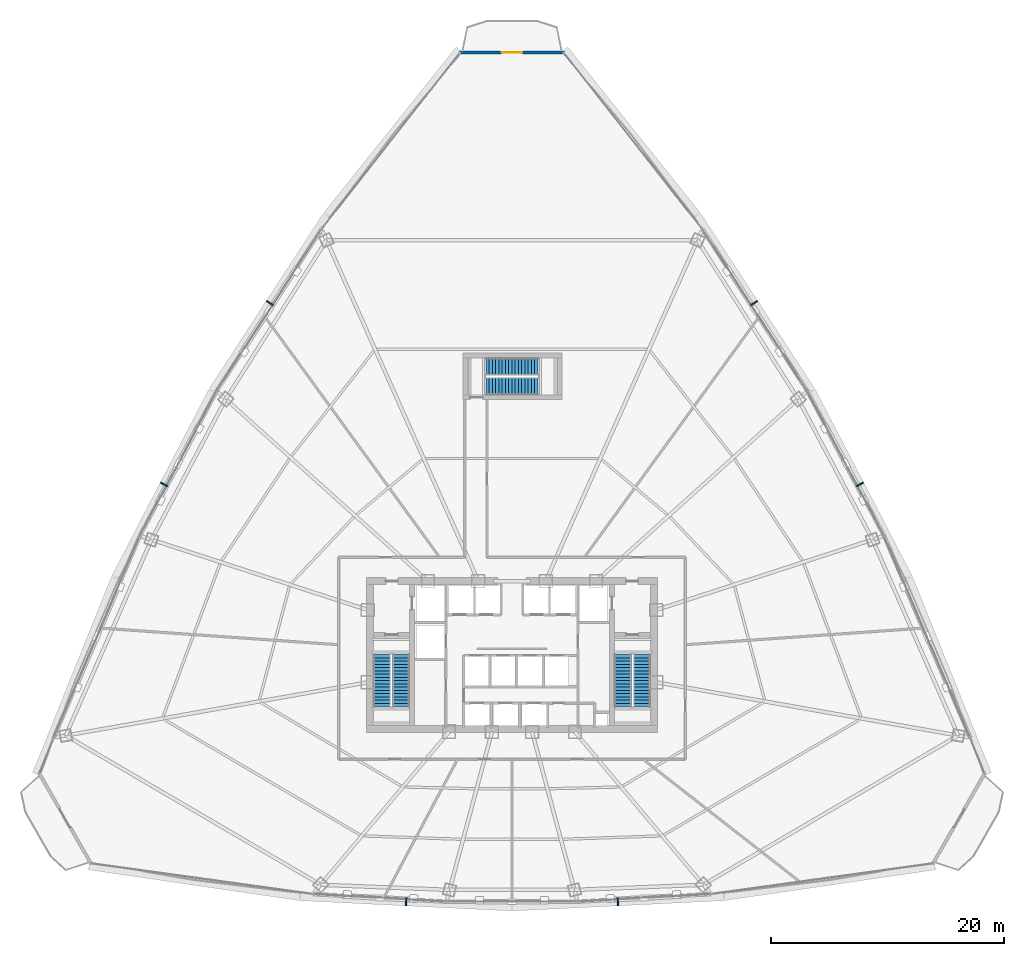
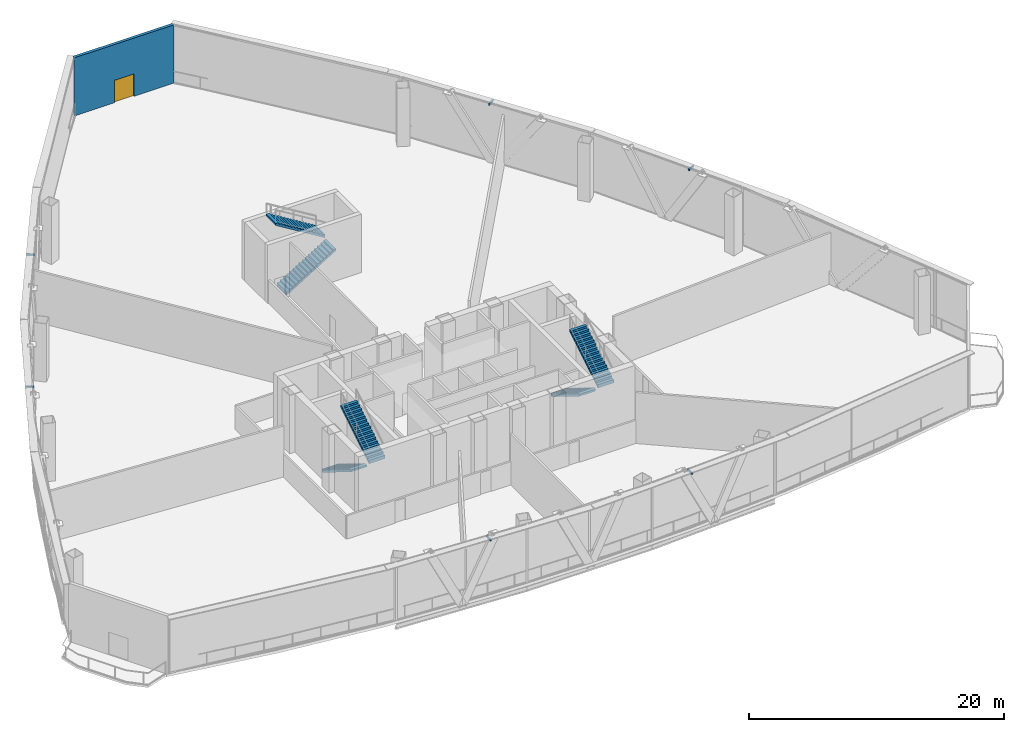
# One storey, part 30 of 36: 6 discrete accessories, 6 stair flights, 1 door, 1 wall, 1 opening, 3 elements without a shape of their own.
"""IFC4 building model written with IfcOpenShell, lengths in metres."""

import ifcopenshell
import ifcopenshell.guid

model = None  # the IFC model being written
_history = None  # IfcOwnerHistory: only IFC2X3 demands one
_inside = {}  # id of a spatial element -> (the spatial element, [elements in it])
_under = {}  # id of a project, library or spatial element -> (it, [spatial elements below it])
_declared = {}  # id of a project -> (the project, [libraries it declares])
_typed = {}  # id of a type object -> (the type object, [elements of that type])
_made_of = {}  # id of a material, layer set ... -> (it, [elements and type objects made of it])


def new_model(schema):
    """Start an empty IFC model of exactly this schema.

    Asked for "IFC4X3", IfcOpenShell would pick the latest addendum, in which some entities
    have other attributes; the version numbers below select the first issue.
    IFC2X3 requires an IfcOwnerHistory on every rooted entity: one is made here for all.
    """
    global model, _history
    if schema == "IFC4X3":
        model = ifcopenshell.file(schema_version=(4, 3, 0, 0))
    else:
        model = ifcopenshell.file(schema=schema)
    _inside.clear()
    _under.clear()
    _declared.clear()
    _typed.clear()
    _made_of.clear()
    _history = None
    if model.schema == "IFC2X3":
        org = make("IfcOrganization", Name="unknown")
        user = make(
            "IfcPersonAndOrganization",
            ThePerson=make("IfcPerson", FamilyName="unknown"),
            TheOrganization=org,
        )
        app = make(
            "IfcApplication",
            ApplicationDeveloper=org,
            Version="unknown",
            ApplicationFullName="unknown",
            ApplicationIdentifier="unknown",
        )
        _history = make(
            "IfcOwnerHistory",
            OwningUser=user,
            OwningApplication=app,
            ChangeAction="ADDED",
            CreationDate=0,
        )
    return model


def make(cls, **values):
    """One entity of the class cls with the attributes given. An attribute that is None is left unset."""
    return model.create_entity(
        cls, **{name: value for name, value in values.items() if value is not None}
    )


def rooted(cls, **values):
    """An entity with a GlobalId (a new one), such as an element, a storey or a relation."""
    return make(cls, GlobalId=ifcopenshell.guid.new(), OwnerHistory=_history, **values)


def si_unit(unit_type, name, prefix=None):
    """IfcSIUnit, for example si_unit("LENGTHUNIT", "METRE", prefix="MILLI")."""
    return make("IfcSIUnit", UnitType=unit_type, Prefix=prefix, Name=name)


def assignment(units):
    """IfcUnitAssignment: the units of a project."""
    return None if units is None else make("IfcUnitAssignment", Units=units)


def point(xyz):
    """IfcCartesianPoint."""
    return None if xyz is None else make("IfcCartesianPoint", Coordinates=xyz)


def direction(xyz):
    """IfcDirection."""
    return None if xyz is None else make("IfcDirection", DirectionRatios=xyz)


def frame(location, z_axis=None, x_axis=None):
    """IfcAxis2Placement3D, a coordinate frame: its origin and axes. An axis left out is left unset."""
    return make(
        "IfcAxis2Placement3D",
        Location=point(location),
        Axis=direction(z_axis),
        RefDirection=direction(x_axis),
    )


def frame_2d(location, x_axis=None):
    """IfcAxis2Placement2D, a coordinate frame in the plane: its origin and x axis."""
    return make(
        "IfcAxis2Placement2D", Location=point(location), RefDirection=direction(x_axis)
    )


def origin():
    """The frame at (0, 0, 0) with its axes left unset."""
    return frame((0.0, 0.0, 0.0))


def origin_with_axes():
    """The frame at (0, 0, 0) with the z axis (0, 0, 1) and the x axis (1, 0, 0) written out."""
    return frame((0.0, 0.0, 0.0), z_axis=(0.0, 0.0, 1.0), x_axis=(1.0, 0.0, 0.0))


def origin_2d():
    """The frame at (0, 0) in the plane with its x axis left unset."""
    return frame_2d((0.0, 0.0))


def place(relative_to, where):
    """IfcLocalPlacement: puts the frame where relative to a parent placement (None: the world)."""
    return make(
        "IfcLocalPlacement", PlacementRelTo=relative_to, RelativePlacement=where
    )


def context(
    kind, dimensions, precision=None, world=None, true_north=None, identifier=None
):
    """IfcGeometricRepresentationContext, for example the 3D "Model" context."""
    return make(
        "IfcGeometricRepresentationContext",
        ContextIdentifier=identifier,
        ContextType=kind,
        CoordinateSpaceDimension=dimensions,
        Precision=precision,
        WorldCoordinateSystem=world,
        TrueNorth=true_north,
    )


def subcontext(parent, identifier, kind, view, scale=None):
    """IfcGeometricRepresentationSubContext, for example "Body" below "Model"."""
    return make(
        "IfcGeometricRepresentationSubContext",
        ContextIdentifier=identifier,
        ContextType=kind,
        ParentContext=parent,
        TargetScale=scale,
        TargetView=view,
    )


def project(units=None, contexts=None):
    """IfcProject with its units and contexts."""
    return rooted(
        "IfcProject",
        Name="project",
        RepresentationContexts=contexts,
        UnitsInContext=assignment(units),
    )


def spatial(cls, under=None, at=None, **own):
    """A site, building, storey or space (cls), placed at a placement, below another one or the project."""
    s = rooted(cls, ObjectPlacement=at, **own)
    if under is not None:
        _under.setdefault(under.id(), (under, []))[1].append(s)
    return s


def polyline(points):
    """IfcPolyline through the points."""
    return make("IfcPolyline", Points=[point(p) for p in points])


def profile(cls, at=None, kind="AREA", **sizes):
    """A parametric profile (cls). Its sizes go by their IFC names, for example OverallWidth=200.0."""
    return make(cls, ProfileType=kind, Position=at, **sizes)


def rectangle(**sizes):
    """IfcRectangleProfileDef."""
    return profile("IfcRectangleProfileDef", **sizes)


def outline(outer, holes=None, kind="AREA"):
    """IfcArbitraryClosedProfileDef: a profile drawn as a closed curve; with holes, ...WithVoids."""
    if holes is None:
        return make("IfcArbitraryClosedProfileDef", ProfileType=kind, OuterCurve=outer)
    return make(
        "IfcArbitraryProfileDefWithVoids",
        ProfileType=kind,
        OuterCurve=outer,
        InnerCurves=holes,
    )


def extrude(swept, where, along, depth):
    """IfcExtrudedAreaSolid: the profile swept, set in the frame where, extruded along a direction by depth."""
    return make(
        "IfcExtrudedAreaSolid",
        SweptArea=swept,
        Position=where,
        ExtrudedDirection=direction(along),
        Depth=depth,
    )


def shape(context_of_items, identifier, shape_type, items):
    """IfcShapeRepresentation: the items that make up one representation, for example the "Body"."""
    return make(
        "IfcShapeRepresentation",
        ContextOfItems=context_of_items,
        RepresentationIdentifier=identifier,
        RepresentationType=shape_type,
        Items=items,
    )


def source(mapping_origin, context_of_items, identifier, shape_type, items):
    """IfcRepresentationMap: a shape defined once, which mapped items show again and again."""
    return make(
        "IfcRepresentationMap",
        MappingOrigin=mapping_origin,
        MappedRepresentation=shape(context_of_items, identifier, shape_type, items),
    )


def transform(
    local_origin,
    x_axis=None,
    y_axis=None,
    z_axis=None,
    scale=None,
    scale2=None,
    scale3=None,
    uniform=True,
):
    """IfcCartesianTransformationOperator3D, or its non-uniform kind. x_axis, y_axis, z_axis: its Axis1, 2, 3."""
    if uniform:
        return make(
            "IfcCartesianTransformationOperator3D",
            Axis1=direction(x_axis),
            Axis2=direction(y_axis),
            LocalOrigin=point(local_origin),
            Scale=scale,
            Axis3=direction(z_axis),
        )
    return make(
        "IfcCartesianTransformationOperator3DnonUniform",
        Axis1=direction(x_axis),
        Axis2=direction(y_axis),
        LocalOrigin=point(local_origin),
        Scale=scale,
        Axis3=direction(z_axis),
        Scale2=scale2,
        Scale3=scale3,
    )


def mapped(mapping_source, mapping_target):
    """IfcMappedItem: shows the shape of a source again, moved by a transform."""
    return make(
        "IfcMappedItem", MappingSource=mapping_source, MappingTarget=mapping_target
    )


def material(Name=None, Category=None):
    """IfcMaterial."""
    return make("IfcMaterial", Name=Name, Category=Category)


def layer(
    of_material, thickness, ventilated=None, Name=None, Category=None, Priority=None
):
    """IfcMaterialLayer: one layer of a wall or slab, of a material (None: an air gap)."""
    return make(
        "IfcMaterialLayer",
        Material=of_material,
        LayerThickness=thickness,
        IsVentilated=ventilated,
        Name=Name,
        Category=Category,
        Priority=Priority,
    )


def layer_set(layers, Name=None):
    """IfcMaterialLayerSet."""
    return make("IfcMaterialLayerSet", MaterialLayers=layers, LayerSetName=Name)


def made_of(thing, what):
    """Note that an element or type object is made of a material, layer set ...; save() writes the relation."""
    if what is not None:
        _made_of.setdefault(what.id(), (what, []))[1].append(thing)
    return thing


def type_object(cls, material=None, **own):
    """A type object (cls), such as IfcWallType, which elements share."""
    return made_of(rooted(cls, **own), material)


def element(
    cls,
    number,
    at=None,
    inside=None,
    cuts=None,
    type_object=None,
    material=None,
    context=None,
    identifier="Body",
    shape_type=None,
    held_by="IfcProductDefinitionShape",
    body=None,
    shapes=None,
    **own,
):
    """One element of the class cls, such as IfcWall. Its Tag is "e" and its number.

    at: its placement. inside: the storey or other place that contains it. cuts: it is an
    opening in that element (IfcRelVoidsElement). A single representation is given by context,
    identifier, shape_type and body (its items); several are given by shapes. held_by: the class
    of the entity that holds the representations. save() writes the other relations.
    """
    e = rooted(cls, Tag="e%d" % number, ObjectPlacement=at, **own)
    if body is not None:
        shapes = [shape(context, identifier, shape_type, body)]
    if shapes is not None:
        e.Representation = make(held_by, Representations=shapes)
    if inside is not None:
        _inside.setdefault(inside.id(), (inside, []))[1].append(e)
    if cuts is not None:
        rooted(
            "IfcRelVoidsElement", RelatingBuildingElement=cuts, RelatedOpeningElement=e
        )
    if type_object is not None:
        _typed.setdefault(type_object.id(), (type_object, []))[1].append(e)
    return made_of(e, material)


def fill(opening, filler):
    """IfcRelFillsElement: the door or window that sits in an opening."""
    return rooted(
        "IfcRelFillsElement",
        RelatingOpeningElement=opening,
        RelatedBuildingElement=filler,
    )


def aggregate(whole, parts):
    """IfcRelAggregates: a whole, such as a stair, and the parts it consists of."""
    return rooted("IfcRelAggregates", RelatingObject=whole, RelatedObjects=parts)


def save(model, path):
    """Write the relations noted so far, then the file.

    IfcRelAggregates (storeys below a building ...), IfcRelContainedInSpatialStructure (elements
    in a storey), IfcRelDefinesByType, IfcRelAssociatesMaterial and IfcRelDeclares: one each for
    every whole, place, type object, material and project.
    """
    for whole, parts in _under.values():
        aggregate(whole, parts)
    for where, things in _inside.values():
        rooted(
            "IfcRelContainedInSpatialStructure",
            RelatedElements=things,
            RelatingStructure=where,
        )
    for kind, things in _typed.values():
        rooted("IfcRelDefinesByType", RelatedObjects=things, RelatingType=kind)
    for what, things in _made_of.values():
        rooted("IfcRelAssociatesMaterial", RelatedObjects=things, RelatingMaterial=what)
    for by, libraries in _declared.values():
        rooted("IfcRelDeclares", RelatingContext=by, RelatedDefinitions=libraries)
    model.write(path)


model = new_model("IFC4")

# Units and contexts
model_context = context("Model", 3, precision=1e-05, world=origin(), true_north=direction((0.0, 1.0)))
body_context = subcontext(model_context, "Body", "Model", "MODEL_VIEW")
ifc_project = project(units=[si_unit("LENGTHUNIT", "METRE"), si_unit("AREAUNIT", "SQUARE_METRE"), si_unit("VOLUMEUNIT", "CUBIC_METRE"), si_unit("PLANEANGLEUNIT", "RADIAN"), si_unit("MASSUNIT", "GRAM", prefix="KILO"), si_unit("THERMODYNAMICTEMPERATUREUNIT", "KELVIN"), si_unit("POWERUNIT", "WATT")], contexts=[model_context])

# Site, building, storey
site_placement = place(None, origin())
site = spatial("IfcSite", under=ifc_project, at=site_placement, CompositionType="ELEMENT")
building_placement = place(site_placement, origin())
building = spatial("IfcBuilding", under=site, at=building_placement, Name="Yunzhuo Pagoda Commons", CompositionType="ELEMENT")
storey_placement = place(building_placement, frame((0.0, 0.0, 119.179931640625)))
storey = spatial("IfcBuildingStorey", under=building, at=storey_placement, Name="L30", CompositionType="ELEMENT", Elevation=119.179931640625)

# Wall, opening, door
ifc_material_1 = material(Name="Precast concrete C40", Category="concrete")
ifc_layer = layer(ifc_material_1, 0.260009765625)
ifc_layer_set = layer_set([ifc_layer], Name="Precast concrete C40")
wall_type = type_object("IfcWallType", Name="W-BAL1 Corner Balcony Threshold Wall 260", PredefinedType="STANDARD", material=ifc_layer_set)
wall_placement = place(storey_placement, frame((52.49169921875, 85.65869140625, 0.0), z_axis=(0.0, 0.0, 1.0), x_axis=(-1.0, 0.0, 0.0)))
wall = element("IfcWall", 1, at=wall_placement, inside=storey, type_object=wall_type, Name="L30 corner balcony wall V3", PredefinedType="STANDARD", context=body_context, shape_type="SweptSolid", body=[
    extrude(rectangle(XDim=8.9833984375, YDim=0.260009765625, at=frame_2d((4.49169921875, 0.0))), origin(), (0.0, 0.0, 1.0), 5.570068359375),
])
opening_placement = place(wall_placement, frame((3.591552734375, 0.0, 0.0)))
opening = element("IfcOpeningElement", 2, at=opening_placement, cuts=wall, Name="Opening D-BAL1", PredefinedType="OPENING", context=body_context, shape_type="SweptSolid", body=[
    extrude(rectangle(XDim=1.800048828125, YDim=2.14990234375, at=frame_2d((0.89990234375, 1.074951171875))), frame((0.0, 0.14013671875, 0.0), z_axis=(0.0, -1.0, 0.0), x_axis=(1.0, 0.0, 0.0)), (0.0, 0.0, 1.0), 0.280029296875),
])
ifc_material_2 = material(Name="Anodized aluminium frame and tempered glazed leaf", Category="aluminium")
door_type = type_object("IfcDoorType", Name="D-BAL1 Corner Balcony Sliding Glazed Door 1800x2150", OperationType="DOUBLE_DOOR_SLIDING", PredefinedType="DOOR", material=ifc_material_2)
shared_shape_1 = source(origin(), body_context, "Body", "SweptSolid", [
    extrude(rectangle(XDim=1.800048828125, YDim=2.14990234375, at=frame_2d((0.89990234375, 1.074951171875))), frame((0.0, 0.02490234375, 0.0), z_axis=(0.0, -1.0, 0.0), x_axis=(1.0, 0.0, 0.0)), (0.0, 0.0, 1.0), 0.050048828125),
])
door_placement = place(opening_placement, origin_with_axes())
door = element("IfcDoor", 3, at=door_placement, inside=storey, type_object=door_type, Name="L30 corner balcony sliding door V3", OperationType="DOUBLE_DOOR_SLIDING", OverallHeight=2.14990234375, OverallWidth=1.800048828125, PredefinedType="DOOR", context=body_context, shape_type="MappedRepresentation", body=[
    mapped(shared_shape_1, transform((0.0, 0.0, 0.0), scale=1.0)),
])
fill(opening, door)

# Stair, stair flights
ifc_material_3 = material(Name="Concrete C40", Category="concrete")
stair_type_1 = type_object("IfcStairType", Name="ST-C1 Core Smokeproof Stair ST1", PredefinedType="HALF_TURN_STAIR", material=ifc_material_3)
stair_1_placement = place(storey_placement, origin())
stair_1 = element("IfcStair", 4, at=stair_1_placement, inside=storey, type_object=stair_type_1, Name="L30 Core smokeproof stair ST1", PredefinedType="HALF_TURN_STAIR")
stair_flight_type_1 = type_object("IfcStairFlightType", Name="STF-C1 Core Stair Flight 1450", PredefinedType="STRAIGHT", material=ifc_material_3)
shared_shape_2 = source(origin(), body_context, "Body", "SweptSolid", [
    extrude(outline(polyline([(0.0, -0.14990234375), (0.0, 0.0), (0.0, 0.172119140625), (0.280029296875, 0.172119140625), (0.280029296875, 0.34423828125), (0.56005859375, 0.34423828125), (0.56005859375, 0.51611328125), (0.840087890625, 0.51611328125), (0.840087890625, 0.688232421875), (1.1201171875, 0.688232421875), (1.1201171875, 0.8603515625), (1.39990234375, 0.8603515625), (1.39990234375, 1.032470703125), (1.679931640625, 1.032470703125), (1.679931640625, 1.204345703125), (1.9599609375, 1.204345703125), (1.9599609375, 1.37646484375), (2.239990234375, 1.37646484375), (2.239990234375, 1.548583984375), (2.52001953125, 1.548583984375), (2.52001953125, 1.720703125), (2.800048828125, 1.720703125), (2.800048828125, 1.892578125), (3.080078125, 1.892578125), (3.080078125, 2.064697265625), (3.360107421875, 2.064697265625), (3.360107421875, 2.23681640625), (3.639892578125, 2.23681640625), (3.639892578125, 2.408935546875), (3.919921875, 2.408935546875), (3.919921875, 2.580810546875), (4.199951171875, 2.580810546875), (4.199951171875, 2.7529296875), (4.47998046875, 2.7529296875), (4.47998046875, 2.925048828125), (4.47998046875, 2.576904296875), (0.286376953125, 0.0), (0.050048828125, -0.14990234375), (0.0, -0.14990234375)])), frame((0.0, 0.72509765625, 0.0), z_axis=(0.0, -1.0, 0.0), x_axis=(1.0, 0.0, 0.0)), (0.0, 0.0, 1.0), 1.449951171875),
])
stair_flight_1_placement = place(storey_placement, frame((36.824951171875, 33.89990234375, 0.0), z_axis=(0.0, 0.0, 1.0), x_axis=(0.0, -1.0, 0.0)))
stair_flight_1 = element("IfcStairFlight", 5, at=stair_flight_1_placement, type_object=stair_flight_type_1, Name="ST1 flight 1", NumberOfRisers=17, NumberOfTreads=16, PredefinedType="STRAIGHT", RiserHeight=0.172058824, TreadLength=0.28, context=body_context, shape_type="MappedRepresentation", body=[
    mapped(shared_shape_2, transform((0.0, 0.0, 0.0), scale=1.0)),
])
stair_flight_2_placement = place(storey_placement, frame((38.47509765625, 29.419921875, 2.925048828125), z_axis=(0.0, 0.0, 1.0), x_axis=(0.0, 1.0, 0.0)))
stair_flight_2 = element("IfcStairFlight", 6, at=stair_flight_2_placement, type_object=stair_flight_type_1, Name="ST1 flight 2", NumberOfRisers=17, NumberOfTreads=16, PredefinedType="STRAIGHT", RiserHeight=0.172058824, TreadLength=0.28, context=body_context, shape_type="MappedRepresentation", body=[
    mapped(shared_shape_2, transform((0.0, 0.0, 0.0), scale=1.0)),
])
aggregate(stair_1, [stair_flight_1, stair_flight_2])

stair_type_2 = type_object("IfcStairType", Name="ST-C2 Core Smokeproof Stair ST2", PredefinedType="HALF_TURN_STAIR", material=ifc_material_3)
stair_2_placement = place(storey_placement, origin())
stair_2 = element("IfcStair", 7, at=stair_2_placement, inside=storey, type_object=stair_type_2, Name="L30 Core smokeproof stair ST2", PredefinedType="HALF_TURN_STAIR")
stair_flight_type_2 = type_object("IfcStairFlightType", Name="STF-C2 Core Stair Flight 1460", PredefinedType="STRAIGHT", material=ifc_material_3)
stair_flight_3_placement = place(storey_placement, frame((57.52490234375, 33.89990234375, 0.0), z_axis=(0.0, 0.0, 1.0), x_axis=(0.0, -1.0, 0.0)))
stair_flight_3 = element("IfcStairFlight", 8, at=stair_flight_3_placement, type_object=stair_flight_type_2, Name="ST2 flight 1", NumberOfRisers=17, NumberOfTreads=16, PredefinedType="STRAIGHT", RiserHeight=0.172058824, TreadLength=0.28, context=body_context, shape_type="MappedRepresentation", body=[
    mapped(shared_shape_2, transform((0.0, 0.0, 0.0), scale=1.0)),
])
stair_flight_4_placement = place(storey_placement, frame((59.175048828125, 29.419921875, 2.925048828125), z_axis=(0.0, 0.0, 1.0), x_axis=(0.0, 1.0, 0.0)))
stair_flight_4 = element("IfcStairFlight", 9, at=stair_flight_4_placement, type_object=stair_flight_type_2, Name="ST2 flight 2", NumberOfRisers=17, NumberOfTreads=16, PredefinedType="STRAIGHT", RiserHeight=0.172058824, TreadLength=0.28, context=body_context, shape_type="MappedRepresentation", body=[
    mapped(shared_shape_2, transform((0.0, 0.0, 0.0), scale=1.0)),
])
aggregate(stair_2, [stair_flight_3, stair_flight_4])

stair_type_3 = type_object("IfcStairType", Name="ST-C3 North Tower Smokeproof Stair ST3", PredefinedType="HALF_TURN_STAIR", material=ifc_material_3)
stair_3_placement = place(storey_placement, origin())
stair_3 = element("IfcStair", 10, at=stair_3_placement, inside=storey, type_object=stair_type_3, Name="L30 North tower smokeproof stair ST3", PredefinedType="HALF_TURN_STAIR")
stair_flight_type_3 = type_object("IfcStairFlightType", Name="STF-C3 North Stair Flight 1500", PredefinedType="STRAIGHT", material=ifc_material_3)
shared_shape_3 = source(origin(), body_context, "Body", "SweptSolid", [
    extrude(outline(polyline([(0.0, -0.14990234375), (0.0, 0.0), (0.0, 0.172119140625), (0.280029296875, 0.172119140625), (0.280029296875, 0.34423828125), (0.56005859375, 0.34423828125), (0.56005859375, 0.51611328125), (0.840087890625, 0.51611328125), (0.840087890625, 0.688232421875), (1.1201171875, 0.688232421875), (1.1201171875, 0.8603515625), (1.39990234375, 0.8603515625), (1.39990234375, 1.032470703125), (1.679931640625, 1.032470703125), (1.679931640625, 1.204345703125), (1.9599609375, 1.204345703125), (1.9599609375, 1.37646484375), (2.239990234375, 1.37646484375), (2.239990234375, 1.548583984375), (2.52001953125, 1.548583984375), (2.52001953125, 1.720703125), (2.800048828125, 1.720703125), (2.800048828125, 1.892578125), (3.080078125, 1.892578125), (3.080078125, 2.064697265625), (3.360107421875, 2.064697265625), (3.360107421875, 2.23681640625), (3.639892578125, 2.23681640625), (3.639892578125, 2.408935546875), (3.919921875, 2.408935546875), (3.919921875, 2.580810546875), (4.199951171875, 2.580810546875), (4.199951171875, 2.7529296875), (4.47998046875, 2.7529296875), (4.47998046875, 2.925048828125), (4.47998046875, 2.576904296875), (0.286376953125, 0.0), (0.050048828125, -0.14990234375), (0.0, -0.14990234375)])), frame((0.0, 0.75, 0.0), z_axis=(0.0, -1.0, 0.0), x_axis=(1.0, 0.0, 0.0)), (0.0, 0.0, 1.0), 1.5),
])
stair_flight_5_placement = place(storey_placement, frame((45.75, 56.949951171875, 0.0), z_axis=(0.0, 0.0, 1.0), x_axis=(1.0, 0.0, 0.0)))
stair_flight_5 = element("IfcStairFlight", 11, at=stair_flight_5_placement, type_object=stair_flight_type_3, Name="ST3 flight 1", NumberOfRisers=17, NumberOfTreads=16, PredefinedType="STRAIGHT", RiserHeight=0.172058824, TreadLength=0.28, context=body_context, shape_type="MappedRepresentation", body=[
    mapped(shared_shape_3, transform((0.0, 0.0, 0.0), scale=1.0)),
])
stair_flight_6_placement = place(storey_placement, frame((50.22998046875, 58.64990234375, 2.925048828125), z_axis=(0.0, 0.0, 1.0), x_axis=(-1.0, 0.0, 0.0)))
stair_flight_6 = element("IfcStairFlight", 12, at=stair_flight_6_placement, type_object=stair_flight_type_3, Name="ST3 flight 2", NumberOfRisers=17, NumberOfTreads=16, PredefinedType="STRAIGHT", RiserHeight=0.172058824, TreadLength=0.28, context=body_context, shape_type="MappedRepresentation", body=[
    mapped(shared_shape_3, transform((0.0, 0.0, 0.0), scale=1.0)),
])
aggregate(stair_3, [stair_flight_5, stair_flight_6])

# Discrete accessories
ifc_material_4 = material(Name="Anodized aluminium 6063-T6", Category="aluminium")
discrete_accessory_type = type_object("IfcDiscreteAccessoryType", Name="BK-SUN1 Sunshade Outrigger Bracket", PredefinedType="BRACKET", material=ifc_material_4)
shared_shape_4 = source(origin(), body_context, "Body", "SweptSolid", [
    extrude(rectangle(XDim=0.1201171875, YDim=0.679931640625, at=origin_2d()), origin(), (0.0, 0.0, 1.0), 0.179931640625),
])
for number, where, z_axis, x_axis, name in (
    (13, (38.903076171875, 12.662109375, 5.35986328125), (0.0, 0.0, 1.0), (0.998818043775, -0.04860571396, 0.0), "L30 sunshade outrigger bracket F1.2"),
    (14, (57.096923828125, 12.662109375, 5.35986328125), (0.0, 0.0, 1.0), (0.998818043775, 0.04860571396, 0.0), "L30 sunshade outrigger bracket F1.3"),
    (15, (77.910400390625, 48.522705078125, 5.35986328125), (0.0, 0.0, 1.0), (-0.461206683033, 0.88729273384, 0.0), "L30 sunshade outrigger bracket F2.2"),
    (16, (68.813232421875, 64.107177734375, 5.35986328125), (0.0, 0.0, 1.0), (-0.545853380833, 0.837880711458, 0.0), "L30 sunshade outrigger bracket F2.3"),
    (17, (27.186767578125, 64.107177734375, 5.35986328125), (0.0, 0.0, 1.0), (-0.545853380833, -0.837880711458, 0.0), "L30 sunshade outrigger bracket F3.2"),
    (18, (18.089599609375, 48.522705078125, 5.35986328125), (0.0, 0.0, 1.0), (-0.461206683033, -0.88729273384, 0.0), "L30 sunshade outrigger bracket F3.3"),
):
    element("IfcDiscreteAccessory", number, at=place(storey_placement, frame(where, z_axis=z_axis, x_axis=x_axis)), inside=storey, type_object=discrete_accessory_type, Name=name, PredefinedType="BRACKET", context=body_context, shape_type="MappedRepresentation", body=[
        mapped(shared_shape_4, transform((0.0, 0.0, 0.0), scale=1.0)),
    ])

save(model, "model.ifc")
